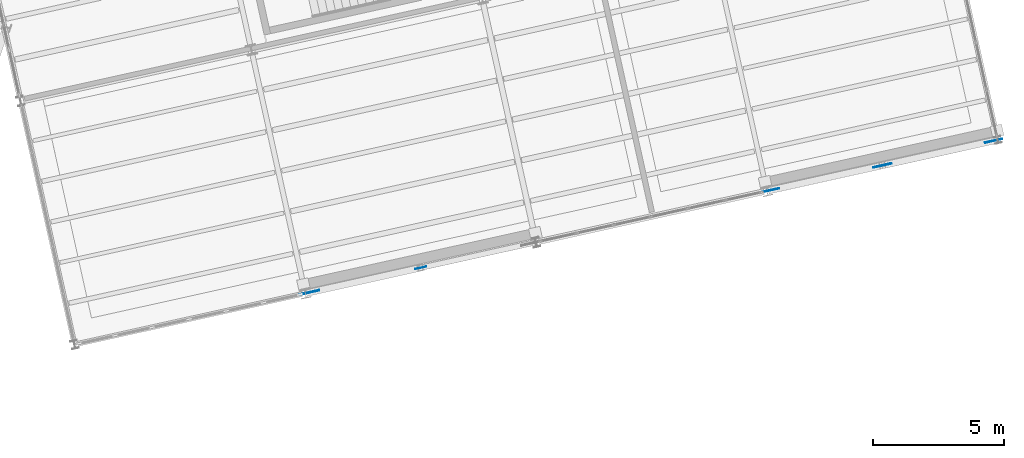
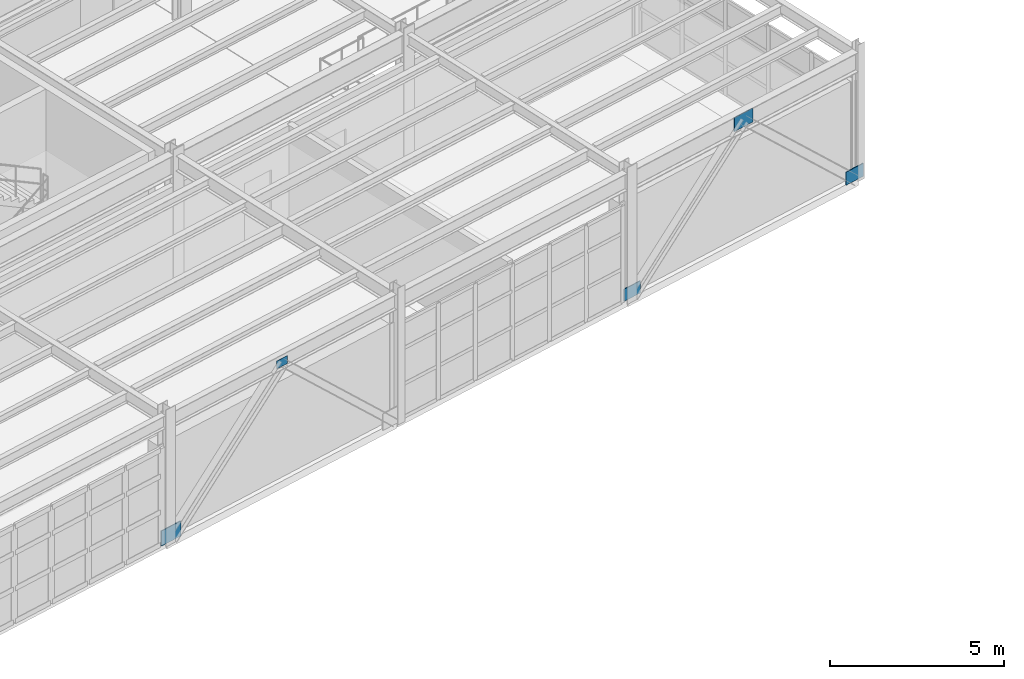
# One storey, part 88 of 109: 5 plates.
"""IFC4 building model written with IfcOpenShell, lengths in metres."""

from ifc_helpers import new_model, si_unit, direction, frame, origin, origin_2d, place, context, subcontext, project, spatial, rectangle, extrude, material, layer, layer_set, type_object, element, save


model = new_model("IFC4")

# Units and contexts
model_context = context("Model", 3, precision=1e-05, world=origin(), true_north=direction((0.0, 1.0)))
body_context = subcontext(model_context, "Body", "Model", "MODEL_VIEW")
ifc_project = project(units=[si_unit("LENGTHUNIT", "METRE"), si_unit("AREAUNIT", "SQUARE_METRE"), si_unit("VOLUMEUNIT", "CUBIC_METRE"), si_unit("PLANEANGLEUNIT", "RADIAN"), si_unit("MASSUNIT", "GRAM", prefix="KILO")], contexts=[model_context])

# Site, building, storey
site_placement = place(None, origin())
site = spatial("IfcSite", under=ifc_project, at=site_placement, CompositionType="ELEMENT")
building_placement = place(site_placement, origin())
building = spatial("IfcBuilding", under=site, at=building_placement, Name="Vireo Bluff Cable Station", CompositionType="ELEMENT")
storey_placement = place(building_placement, frame((0.0, 0.0, 4.800048828125)))
storey = spatial("IfcBuildingStorey", under=building, at=storey_placement, Name="L01", CompositionType="ELEMENT", Elevation=4.800048828125)

# Plates
ifc_material = material(Name="Steel ASTM A572 Gr. 50", Category="steel")
ifc_layer_1 = layer(ifc_material, 0.01611328125, Name="Steel ASTM A572 Gr. 50")
ifc_layer_set_1 = layer_set([ifc_layer_1], Name="Steel ASTM A572 Gr. 50")
plate_type_1 = type_object("IfcPlateType", Name="GUSSET-420X280X16", PredefinedType="USERDEFINED", material=ifc_layer_set_1)
plate_1_placement = place(storey_placement, frame((139.179931640625, 76.921875, 4.0400390625), z_axis=(0.0, 0.0, 1.0), x_axis=(0.97629600712, 0.216439613938, 0.0)))
element("IfcPlate", 1, at=plate_1_placement, inside=storey, type_object=plate_type_1, Name="V2 L01 chevron gusset plate 100", ObjectType="GUSSET PLATE", PredefinedType="USERDEFINED", context=body_context, shape_type="SweptSolid", body=[
    extrude(rectangle(XDim=0.419921875, YDim=0.01611328125, at=origin_2d()), origin(), (0.0, 0.0, 1.0), 0.280029296875),
])
ifc_layer_2 = layer(ifc_material, 0.027099609375, Name="Steel ASTM A572 Gr. 50")
ifc_layer_set_2 = layer_set([ifc_layer_2], Name="Steel ASTM A572 Gr. 50")
plate_type_2 = type_object("IfcPlateType", Name="GUSSET-640X430X27", PredefinedType="USERDEFINED", material=ifc_layer_set_2)
plate_2_placement = place(storey_placement, frame((152.51611328125, 79.87841796875, 0.0048828125), z_axis=(0.0, 0.0, 1.0), x_axis=(0.97629600712, 0.216439613938, 0.0)))
element("IfcPlate", 2, at=plate_2_placement, inside=storey, type_object=plate_type_2, Name="V2 L01 brace base gusset plate 95", ObjectType="GUSSET PLATE", PredefinedType="USERDEFINED", context=body_context, shape_type="SweptSolid", body=[
    extrude(rectangle(XDim=0.639892578125, YDim=0.027099609375, at=origin_2d()), origin(), (0.0, 0.0, 1.0), 0.429931640625),
])
ifc_layer_3 = layer(ifc_material, 0.029052734375, Name="Steel ASTM A572 Gr. 50")
ifc_layer_set_3 = layer_set([ifc_layer_3], Name="Steel ASTM A572 Gr. 50")
plate_type_3 = type_object("IfcPlateType", Name="GUSSET-680X460X29", PredefinedType="USERDEFINED", material=ifc_layer_set_3)
plate_3_placement = place(storey_placement, frame((160.990478515625, 81.757080078125, -0.010009765625), z_axis=(0.0, 0.0, 1.0), x_axis=(0.97629600712, 0.216439613938, 0.0)))
element("IfcPlate", 3, at=plate_3_placement, inside=storey, type_object=plate_type_3, Name="V2 L01 brace base gusset plate 96", ObjectType="GUSSET PLATE", PredefinedType="USERDEFINED", context=body_context, shape_type="SweptSolid", body=[
    extrude(rectangle(XDim=0.679931640625, YDim=0.029052734375, at=origin_2d()), origin(), (0.0, 0.0, 1.0), 0.4599609375),
])
ifc_layer_4 = layer(ifc_material, 0.031005859375, Name="Steel ASTM A572 Gr. 50")
ifc_layer_set_4 = layer_set([ifc_layer_4], Name="Steel ASTM A572 Gr. 50")
plate_type_4 = type_object("IfcPlateType", Name="GUSSET-720X490X31", PredefinedType="USERDEFINED", material=ifc_layer_set_4)
plate_4_placement = place(storey_placement, frame((156.75341796875, 80.81787109375, 3.93505859375), z_axis=(0.0, 0.0, 1.0), x_axis=(0.97629600712, 0.216439613938, 0.0)))
element("IfcPlate", 4, at=plate_4_placement, inside=storey, type_object=plate_type_4, Name="V2 L01 chevron gusset plate 97", ObjectType="GUSSET PLATE", PredefinedType="USERDEFINED", context=body_context, shape_type="SweptSolid", body=[
    extrude(rectangle(XDim=0.719970703125, YDim=0.031005859375, at=origin_2d()), origin(), (0.0, 0.0, 1.0), 0.489990234375),
])
ifc_layer_5 = layer(ifc_material, 0.032958984375, Name="Steel ASTM A572 Gr. 50")
ifc_layer_set_5 = layer_set([ifc_layer_5], Name="Steel ASTM A572 Gr. 50")
plate_type_5 = type_object("IfcPlateType", Name="GUSSET-760X530X33", PredefinedType="USERDEFINED", material=ifc_layer_set_5)
plate_5_placement = place(storey_placement, frame((134.94287109375, 75.982666015625, -0.044921875), z_axis=(0.0, 0.0, 1.0), x_axis=(0.97629600712, 0.216439613938, 0.0)))
element("IfcPlate", 5, at=plate_5_placement, inside=storey, type_object=plate_type_5, Name="V2 L01 brace base gusset plate 98", ObjectType="GUSSET PLATE", PredefinedType="USERDEFINED", context=body_context, shape_type="SweptSolid", body=[
    extrude(rectangle(XDim=0.760009765625, YDim=0.032958984375, at=origin_2d()), origin(), (0.0, 0.0, 1.0), 0.530029296875),
])

save(model, "model.ifc")
